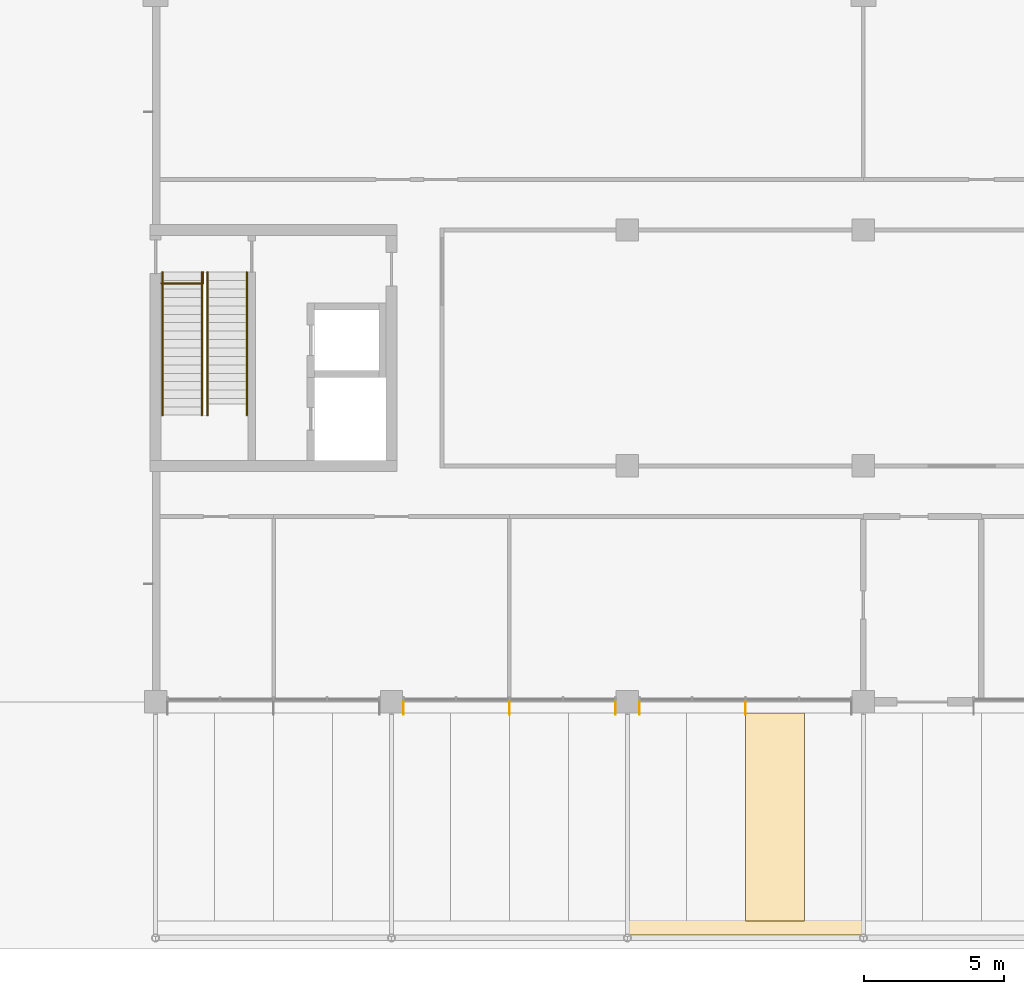
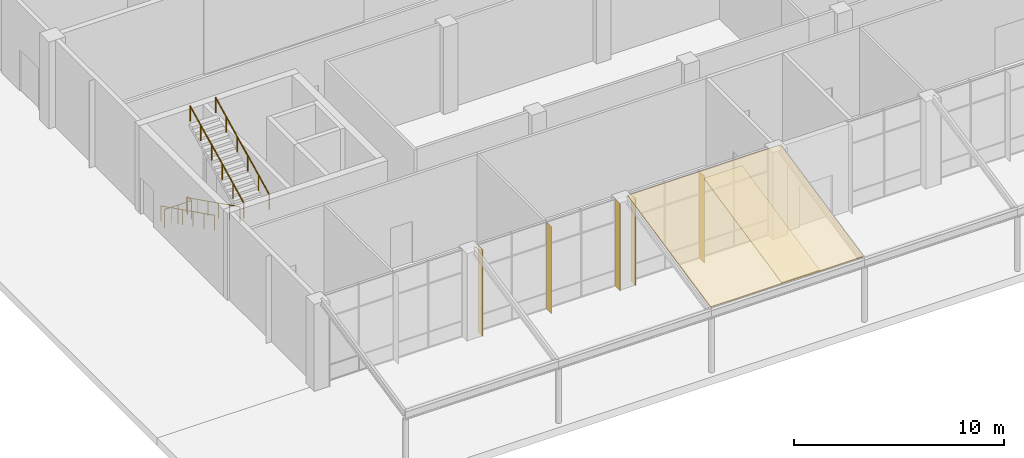
# One storey, part 57 of 76: 5 railings, 5 shading devices, 2 coverings.
"""IFC4 building model written with IfcOpenShell, lengths in metres."""

from ifc_helpers import new_model, si_unit, direction, frame, origin, origin_2d, place, context, subcontext, project, spatial, polyline, rectangle, circle, outline, extrude, material, layer, layer_set, type_object, element, save


model = new_model("IFC4")

# Units and contexts
model_context = context("Model", 3, precision=1e-05, world=origin(), true_north=direction((0.0, 1.0)))
body_context = subcontext(model_context, "Body", "Model", "MODEL_VIEW")
ifc_project = project(units=[si_unit("LENGTHUNIT", "METRE"), si_unit("AREAUNIT", "SQUARE_METRE"), si_unit("VOLUMEUNIT", "CUBIC_METRE"), si_unit("PLANEANGLEUNIT", "RADIAN"), si_unit("MASSUNIT", "GRAM", prefix="KILO")], contexts=[model_context])

# Site, building, storey
site_placement = place(None, origin())
site = spatial("IfcSite", under=ifc_project, at=site_placement, CompositionType="ELEMENT")
building_placement = place(site_placement, origin())
building = spatial("IfcBuilding", under=site, at=building_placement, Name="Hlaing Beacon Police Headquarters", CompositionType="ELEMENT")
storey_placement = place(building_placement, origin())
storey = spatial("IfcBuildingStorey", under=building, at=storey_placement, Name="L00", CompositionType="ELEMENT", Elevation=0.0)

# Shading devices
ifc_material_1 = material(Name="Aluminium 6063-T5 anodised", Category="aluminium")
ifc_layer_1 = layer(ifc_material_1, 0.011962890625)
ifc_layer_set_1 = layer_set([ifc_layer_1], Name="Aluminium 6063-T5 anodised")
shading_device_type = type_object("IfcShadingDeviceType", Name="Aluminium fin 12x450", PredefinedType="JALOUSIE", material=ifc_layer_set_1)
for number, where, z_axis, x_axis, name in (
    (1, (17.22509765625, 8.175048828125, 0.0), (0.0, 0.0, 1.0), (1.0, 0.0, 0.0), "Fin L00 S004.0"),
    (2, (21.0, 8.175048828125, 0.0), (0.0, 0.0, 1.0), (1.0, 0.0, 0.0), "Fin L00 S004.2"),
    (3, (24.77490234375, 8.175048828125, 0.0), (0.0, 0.0, 1.0), (1.0, 0.0, 0.0), "Fin L00 S004.4"),
    (4, (25.625, 8.175048828125, 0.0), (0.0, 0.0, 1.0), (1.0, 0.0, 0.0), "Fin L00 S005.0"),
    (5, (29.39990234375, 8.175048828125, 0.0), (0.0, 0.0, 1.0), (1.0, 0.0, 0.0), "Fin L00 S005.2"),
):
    element("IfcShadingDevice", number, at=place(storey_placement, frame(where, z_axis=z_axis, x_axis=x_axis)), inside=storey, type_object=shading_device_type, Name=name, PredefinedType="JALOUSIE", context=body_context, shape_type="SweptSolid", body=[
        extrude(rectangle(XDim=0.011962890625, YDim=0.449951171875, at=origin_2d()), origin(), (0.0, 0.0, 1.0), 5.050048828125),
    ])

# Coverings
ifc_material_2 = material(Name="Standing seam aluminium roofing", Category="aluminium")
ifc_layer_2 = layer(ifc_material_2, 0.06005859375)
ifc_layer_set_2 = layer_set([ifc_layer_2], Name="Standing seam aluminium roofing")
covering_type_1 = type_object("IfcCoveringType", Name="Colonnade roofing 60", PredefinedType="ROOFING", material=ifc_layer_set_2)
covering_1_placement = place(storey_placement, frame((25.199951171875, 0.09521484375, 3.680419921875), z_axis=(0.0, -0.209524963903, 0.97780329796), x_axis=(1.0, 0.0, 0.0)))
element("IfcCovering", 6, at=covering_1_placement, inside=storey, type_object=covering_type_1, Name="South colonnade of the public front roofing 3", PredefinedType="ROOFING", context=body_context, shape_type="SweptSolid", body=[
    extrude(outline(polyline([(0.0, 0.0), (8.400146484375, 0.0), (8.400146484375, 8.084228364479442), (0.0, 8.084228364479442), (0.0, 0.0)])), origin(), (0.0, 0.0, -1.0), 0.06005859375),
])
ifc_material_3 = material(Name="Perforated aluminium", Category="aluminium")
ifc_layer_3 = layer(ifc_material_3, 0.0400390625)
ifc_layer_set_3 = layer_set([ifc_layer_3], Name="Perforated aluminium")
covering_type_2 = type_object("IfcCoveringType", Name="Perforated soffit panel 40", PredefinedType="CEILING", material=ifc_layer_set_3)
covering_2_placement = place(storey_placement, frame((29.39990234375, 0.60009765625, 3.3154296875), z_axis=(0.0, -0.209559932183, 0.977795804258), x_axis=(1.0, 0.0, 0.0)))
element("IfcCovering", 7, at=covering_2_placement, inside=storey, type_object=covering_type_2, Name="South colonnade of the public front soffit 3.3", PredefinedType="CEILING", context=body_context, shape_type="SweptSolid", body=[
    extrude(outline(polyline([(0.0, 0.0), (2.10009765625, 0.0), (2.10009765625, 7.567942418580032), (0.0, 7.567942418580032), (0.0, 0.0)])), origin(), (0.0, 0.0, -1.0), 0.0400390625),
])

# Railings
ifc_material_4 = material(Name="Stainless steel", Category="steel")
railing_type_1 = type_object("IfcRailingType", Name="Stair guard 1100", PredefinedType="GUARDRAIL", material=ifc_material_4)
railing_placement = place(storey_placement, frame((8.60009765625, 23.300048828125, 0.0)))
element("IfcRailing", 8, at=railing_placement, inside=storey, type_object=railing_type_1, Name="Guard ST-J", PredefinedType="GUARDRAIL", context=body_context, shape_type="SweptSolid", body=[
    extrude(circle(Radius=0.02392578125, at=origin_2d()), frame((0.0, 0.0, 1.076171875), z_axis=(1.0, 0.0, 0.0), x_axis=(0.0, 1.0, 0.0)), (0.0, 0.0, 1.0), 1.5),
    extrude(circle(Radius=0.02392578125, at=origin_2d()), frame((1.5, 0.0, 1.076171875), z_axis=(0.0, 1.0, 0.0), x_axis=(-1.0, 0.0, 0.0)), (0.0, 0.0, 1.0), 0.39990234375),
    extrude(circle(Radius=0.02099609375, at=origin_2d()), origin(), (0.0, 0.0, 1.0), 1.052001953125),
    extrude(circle(Radius=0.02099609375, at=origin_2d()), frame((0.75, 0.0, 0.0)), (0.0, 0.0, 1.0), 1.052001953125),
    extrude(circle(Radius=0.02099609375, at=origin_2d()), frame((1.5, 0.0, 0.0)), (0.0, 0.0, 1.0), 1.052001953125),
    extrude(circle(Radius=0.02099609375, at=origin_2d()), frame((1.5, 0.39990234375, 0.0)), (0.0, 0.0, 1.0), 1.052001953125),
])
ifc_material_5 = material(Name="Stainless steel", Category="steel")
railing_type_2 = type_object("IfcRailingType", Name="Stair handrail 900", PredefinedType="HANDRAIL", material=ifc_material_5)
for number, where, name in (
    (9, (8.64990234375, 23.699951171875, 0.14990234375), "Handrail ST-J"),
    (10, (10.050048828125, 23.699951171875, 0.14990234375), "Handrail ST-J"),
):
    element("IfcRailing", number, at=place(storey_placement, frame(where)), inside=storey, type_object=railing_type_2, Name=name, PredefinedType="HANDRAIL", context=body_context, shape_type="SweptSolid", body=[
        extrude(circle(Radius=0.02392578125, at=origin_2d()), frame((0.0, 0.0, 0.8759765625), z_axis=(0.0, -0.894418627299, 0.447230722492), x_axis=(1.0, 0.0, 0.0)), (0.0, 0.0, 1.0), 5.701904296875),
        extrude(circle(Radius=0.02099609375, at=origin_2d()), origin(), (0.0, 0.0, 1.0), 0.851806640625),
        extrude(circle(Radius=0.02099609375, at=origin_2d()), frame((0.0, -1.02001953125, 0.510009765625)), (0.0, 0.0, 1.0), 0.851806640625),
        extrude(circle(Radius=0.02099609375, at=origin_2d()), frame((0.0, -2.0400390625, 1.02001953125)), (0.0, 0.0, 1.0), 0.851806640625),
        extrude(circle(Radius=0.02099609375, at=origin_2d()), frame((0.0, -3.059814453125, 1.530029296875)), (0.0, 0.0, 1.0), 0.851806640625),
        extrude(circle(Radius=0.02099609375, at=origin_2d()), frame((0.0, -4.079833984375, 2.0400390625)), (0.0, 0.0, 1.0), 0.851806640625),
        extrude(circle(Radius=0.02099609375, at=origin_2d()), frame((0.0, -5.099853515625, 2.550048828125)), (0.0, 0.0, 1.0), 0.851806640625),
    ])
for number, where, name in (
    (11, (10.25, 18.60009765625, 2.85009765625), "Handrail ST-J"),
    (12, (11.64990234375, 18.60009765625, 2.85009765625), "Handrail ST-J"),
):
    element("IfcRailing", number, at=place(storey_placement, frame(where)), inside=storey, type_object=railing_type_2, Name=name, PredefinedType="HANDRAIL", context=body_context, shape_type="SweptSolid", body=[
        extrude(circle(Radius=0.02392578125, at=origin_2d()), frame((0.0, 0.0, 0.8759765625), z_axis=(0.0, 0.894435754537, 0.447196468016), x_axis=(-1.0, 0.0, 0.0)), (0.0, 0.0, 1.0), 5.70166015625),
        extrude(circle(Radius=0.02099609375, at=origin_2d()), origin(), (0.0, 0.0, 1.0), 0.851806640625),
        extrude(circle(Radius=0.02099609375, at=origin_2d()), frame((0.0, 1.02001953125, 0.510009765625)), (0.0, 0.0, 1.0), 0.851806640625),
        extrude(circle(Radius=0.02099609375, at=origin_2d()), frame((0.0, 2.0400390625, 1.02001953125)), (0.0, 0.0, 1.0), 0.851806640625),
        extrude(circle(Radius=0.02099609375, at=origin_2d()), frame((0.0, 3.059814453125, 1.52978515625)), (0.0, 0.0, 1.0), 0.851806640625),
        extrude(circle(Radius=0.02099609375, at=origin_2d()), frame((0.0, 4.079833984375, 2.039794921875)), (0.0, 0.0, 1.0), 0.851806640625),
        extrude(circle(Radius=0.02099609375, at=origin_2d()), frame((0.0, 5.099853515625, 2.5498046875)), (0.0, 0.0, 1.0), 0.851806640625),
    ])

save(model, "model.ifc")
